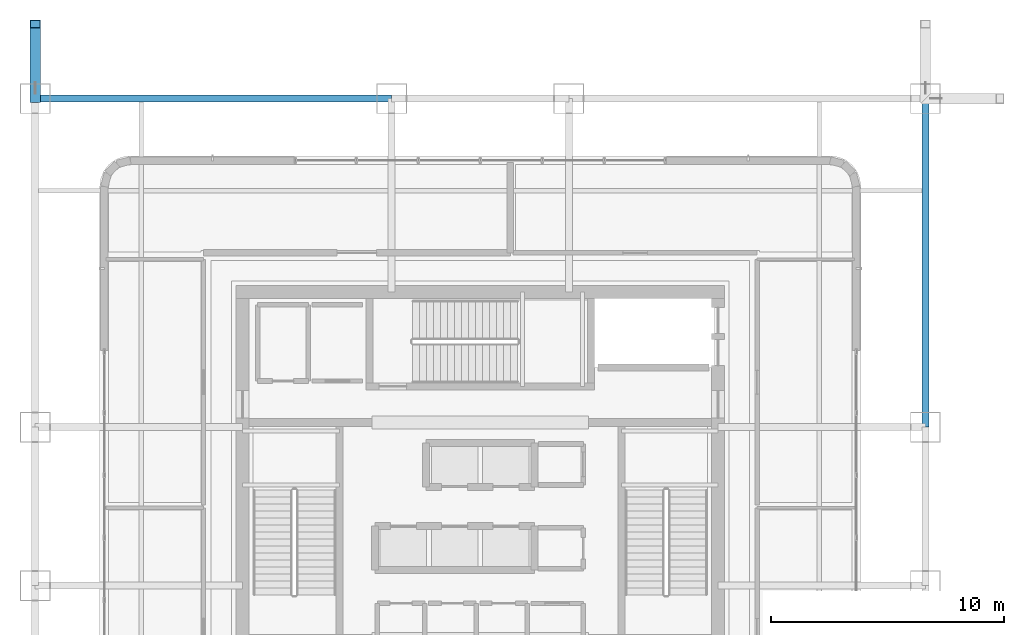
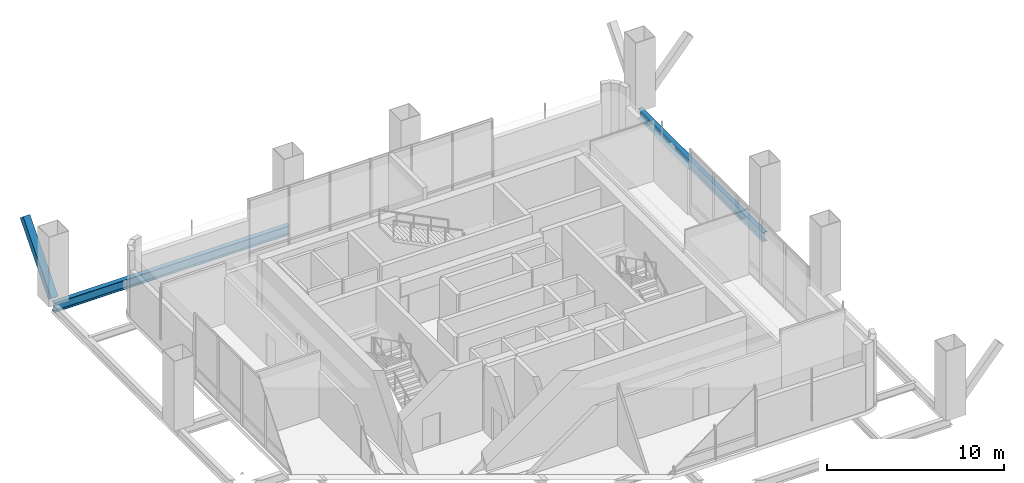
# One storey, part 15 of 33: 2 beams, 1 member.
"""IFC4 building model written with IfcOpenShell, lengths in metres."""

from ifc_helpers import new_model, si_unit, direction, frame, origin, origin_2d, place, context, subcontext, project, spatial, hollow_rectangle, i_section, extrude, material, material_profile, profile_set, type_object, element, save


model = new_model("IFC4")

# Units and contexts
model_context = context("Model", 3, precision=1e-05, world=origin(), true_north=direction((0.0, 1.0)))
body_context = subcontext(model_context, "Body", "Model", "MODEL_VIEW")
ifc_project = project(units=[si_unit("LENGTHUNIT", "METRE"), si_unit("AREAUNIT", "SQUARE_METRE"), si_unit("VOLUMEUNIT", "CUBIC_METRE"), si_unit("PLANEANGLEUNIT", "RADIAN"), si_unit("MASSUNIT", "GRAM", prefix="KILO")], contexts=[model_context])

# Site, building, storey
site_placement = place(None, origin())
site = spatial("IfcSite", under=ifc_project, at=site_placement, CompositionType="ELEMENT")
building_placement = place(site_placement, origin())
building = spatial("IfcBuilding", under=site, at=building_placement, Name="Punatoya Terracotta Tower", CompositionType="ELEMENT")
storey_placement = place(building_placement, frame((0.0, 0.0, 246.60009765625)))
storey = spatial("IfcBuildingStorey", under=building, at=storey_placement, Name="L58", CompositionType="ELEMENT", Elevation=246.60009765625)

# Beams
ifc_material_1 = material(Name="Steel S355", Category="steel")
ifc_material_profile_1 = material_profile(ifc_material_1, i_section(OverallWidth=0.300048828125, OverallDepth=0.64990234375, WebThickness=0.01611328125, FlangeThickness=0.031005859375, FilletRadius=0.01806640625, at=origin_2d()))
ifc_profile_set_1 = profile_set([ifc_material_profile_1], Name="Steel S355")
beam_type = type_object("IfcBeamType", Name="BM-PRI-650", PredefinedType="BEAM", material=ifc_profile_set_1)
beam_1_placement = place(storey_placement, frame((-19.10009765625, 17.5, -0.585205078125), z_axis=(1.0, 0.0, 0.0), x_axis=(0.0, 1.0, 0.0)))
element("IfcBeam", 1, at=beam_1_placement, inside=storey, type_object=beam_type, Name="BM-L58-RG-N1", PredefinedType="BEAM", context=body_context, shape_type="SweptSolid", body=[
    extrude(i_section(OverallWidth=0.300048828125, OverallDepth=0.64990234375, WebThickness=0.01611328125, FlangeThickness=0.031005859375, FilletRadius=0.01806640625, at=origin_2d()), origin(), (0.0, 0.0, 1.0), 15.300048828125),
])
beam_2_placement = place(storey_placement, frame((19.10009765625, 3.39990234375, -0.585205078125), z_axis=(0.0, 1.0, 0.0), x_axis=(-1.0, 0.0, 0.0)))
element("IfcBeam", 2, at=beam_2_placement, inside=storey, type_object=beam_type, Name="BM-L58-RG-E3", PredefinedType="BEAM", context=body_context, shape_type="SweptSolid", body=[
    extrude(i_section(OverallWidth=0.300048828125, OverallDepth=0.64990234375, WebThickness=0.01611328125, FlangeThickness=0.031005859375, FilletRadius=0.01806640625, at=origin_2d()), origin(), (0.0, 0.0, 1.0), 14.10009765625),
])

# Member
ifc_material_2 = material(Name="Steel S460", Category="steel")
ifc_material_profile_2 = material_profile(ifc_material_2, hollow_rectangle(XDim=0.449951171875, YDim=0.449951171875, WallThickness=0.02490234375, at=origin_2d()))
ifc_profile_set_2 = profile_set([ifc_material_profile_2], Name="Steel S460")
member_type = type_object("IfcMemberType", Name="MEM-STR-450", PredefinedType="STRUT", material=ifc_profile_set_2)
member_placement = place(storey_placement, frame((-19.10009765625, 17.5, 0.02001953125), z_axis=(0.0, 0.654151161257, 0.756363839845), x_axis=(-1.0, 0.0, 0.0)))
element("IfcMember", 3, at=member_placement, inside=storey, type_object=member_type, Name="L59 Cantilever Raking Knee-Strut N1", PredefinedType="STRUT", context=body_context, shape_type="SweptSolid", body=[
    extrude(hollow_rectangle(XDim=0.449951171875, YDim=0.449951171875, WallThickness=0.02490234375, at=origin_2d()), origin(), (0.0, 0.0, 1.0), 4.891845703125),
])

save(model, "model.ifc")
